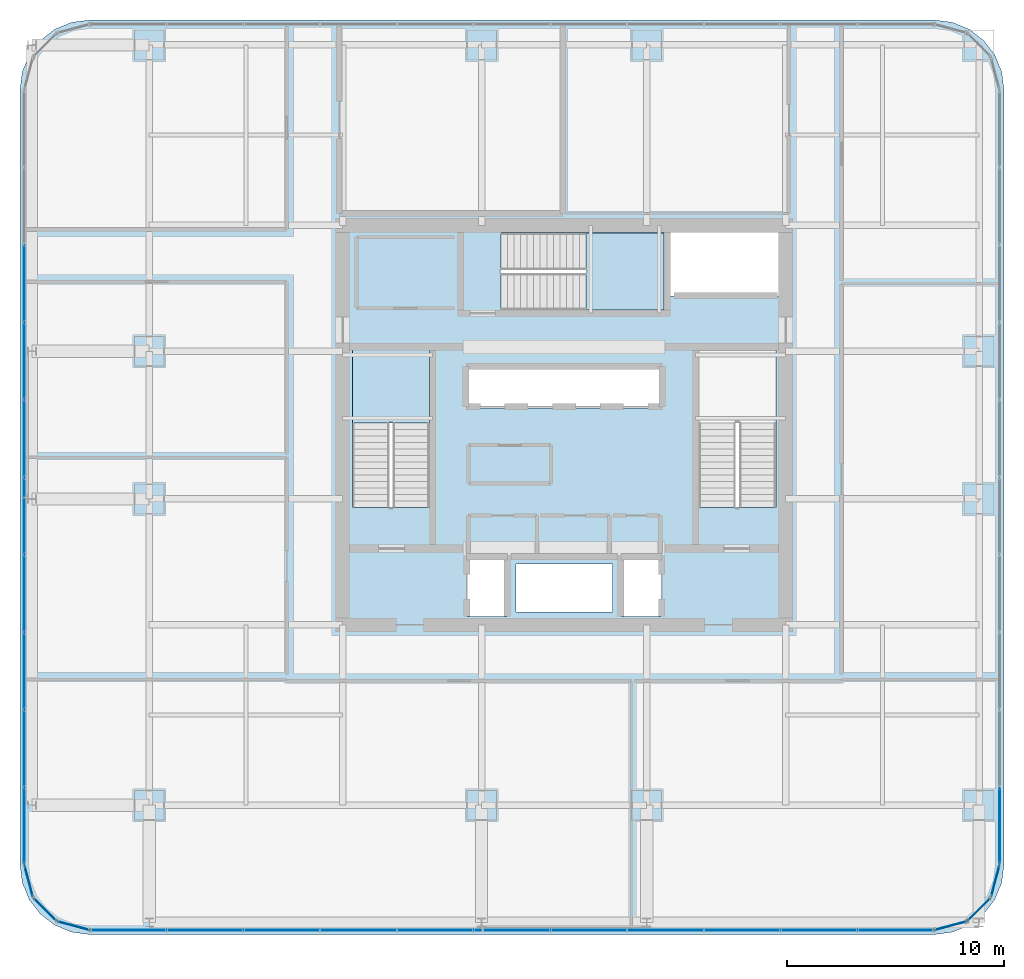
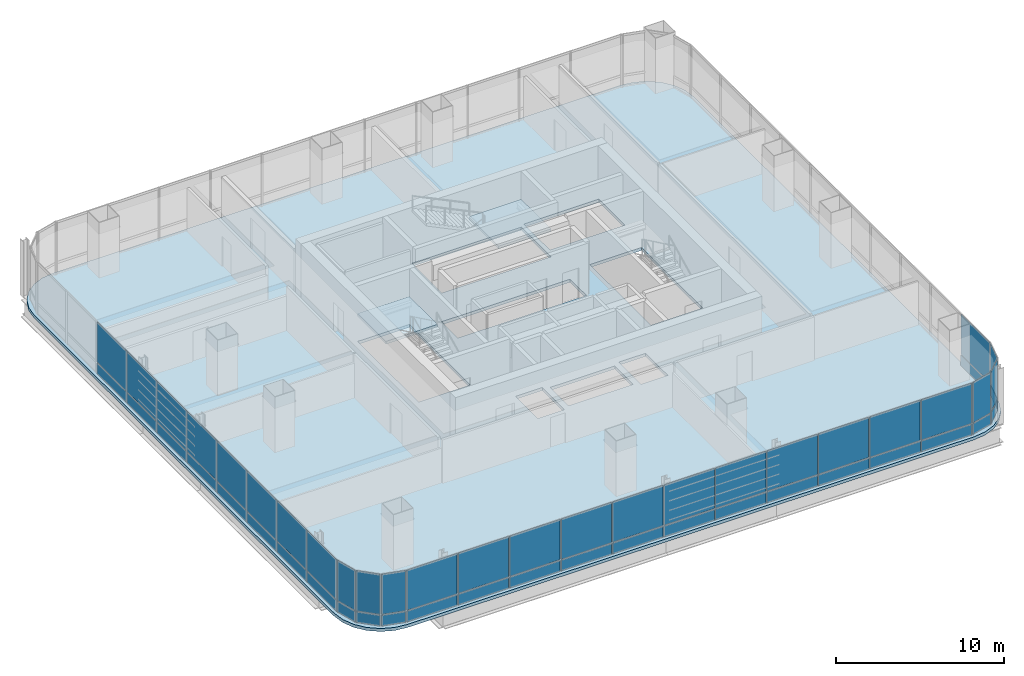
# One storey, part 27 of 36: 52 plates, 3 slabs, 11 elements without a shape of their own.
"""IFC4 building model written with IfcOpenShell, lengths in metres."""

from ifc_helpers import new_model, si_unit, direction, frame, origin, origin_2d, place, context, subcontext, project, spatial, polyline, rectangle, outline, extrude, material, layer, layer_set, type_object, element, aggregate, save


model = new_model("IFC4")

# Units and contexts
model_context = context("Model", 3, precision=1e-05, world=origin(), true_north=direction((0.0, 1.0)))
body_context = subcontext(model_context, "Body", "Model", "MODEL_VIEW")
ifc_project = project(units=[si_unit("LENGTHUNIT", "METRE"), si_unit("AREAUNIT", "SQUARE_METRE"), si_unit("VOLUMEUNIT", "CUBIC_METRE"), si_unit("PLANEANGLEUNIT", "RADIAN"), si_unit("MASSUNIT", "GRAM", prefix="KILO")], contexts=[model_context])

# Site, building, storey
site_placement = place(None, origin())
site = spatial("IfcSite", under=ifc_project, at=site_placement, CompositionType="ELEMENT")
building_placement = place(site_placement, origin())
building = spatial("IfcBuilding", under=site, at=building_placement, Name="Punatoya Terracotta Tower", CompositionType="ELEMENT")
storey_placement = place(building_placement, frame((0.0, 0.0, 176.25)))
storey = spatial("IfcBuildingStorey", under=building, at=storey_placement, Name="L41", CompositionType="ELEMENT", Elevation=176.25)

# Curtain wall, plates
ifc_material_1 = material(Name="Aluminium 6063-T6 + Double Low-E Glass", Category="aluminium")
curtain_wall_type = type_object("IfcCurtainWallType", Name="CW-M2", PredefinedType="NOTDEFINED", material=ifc_material_1)
curtain_wall_1_placement = place(storey_placement, origin())
curtain_wall_1 = element("IfcCurtainWall", 1, at=curtain_wall_1_placement, inside=storey, type_object=curtain_wall_type, Name="L41 Curtain Wall CW-L41-S01-1", PredefinedType="NOTDEFINED")
ifc_material_2 = material(Name="Double Low-E Acoustic Vision Glass", Category="glass")
ifc_layer_1 = layer(ifc_material_2, 0.031982421875)
ifc_layer_set_1 = layer_set([ifc_layer_1], Name="Double Low-E Acoustic Vision Glass")
plate_type_1 = type_object("IfcPlateType", Name="PLT-GLZ-32", PredefinedType="CURTAIN_PANEL", material=ifc_layer_set_1)
plate_1_placement = place(storey_placement, frame((-20.06982421875, -23.25, 0.89013671875), z_axis=(0.0, 0.0, 1.0), x_axis=(1.0, 0.0, 0.0)))
plate_1 = element("IfcPlate", 2, at=plate_1_placement, type_object=plate_type_1, Name="CW-L41-S01-1 Vision Glass Panel 1", PredefinedType="CURTAIN_PANEL", context=body_context, shape_type="SweptSolid", body=[
    extrude(rectangle(XDim=3.448974609375, YDim=0.031982421875, at=origin_2d()), origin(), (0.0, 0.0, 1.0), 2.89990234375),
])
plate_2_placement = place(storey_placement, frame((-16.535888671875, -23.25, 0.89013671875), z_axis=(0.0, 0.0, 1.0), x_axis=(1.0, 0.0, 0.0)))
plate_2 = element("IfcPlate", 3, at=plate_2_placement, type_object=plate_type_1, Name="CW-L41-S01-1 Vision Glass Panel 2", PredefinedType="CURTAIN_PANEL", context=body_context, shape_type="SweptSolid", body=[
    extrude(rectangle(XDim=3.448974609375, YDim=0.031982421875, at=origin_2d()), origin(), (0.0, 0.0, 1.0), 2.89990234375),
])
plate_3_placement = place(storey_placement, frame((-13.001953125, -23.25, 0.89013671875), z_axis=(0.0, 0.0, 1.0), x_axis=(1.0, 0.0, 0.0)))
plate_3 = element("IfcPlate", 4, at=plate_3_placement, type_object=plate_type_1, Name="CW-L41-S01-1 Vision Glass Panel 3", PredefinedType="CURTAIN_PANEL", context=body_context, shape_type="SweptSolid", body=[
    extrude(rectangle(XDim=3.448974609375, YDim=0.031982421875, at=origin_2d()), origin(), (0.0, 0.0, 1.0), 2.89990234375),
])
plate_4_placement = place(storey_placement, frame((-9.468017578125, -23.25, 0.89013671875), z_axis=(0.0, 0.0, 1.0), x_axis=(1.0, 0.0, 0.0)))
plate_4 = element("IfcPlate", 5, at=plate_4_placement, type_object=plate_type_1, Name="CW-L41-S01-1 Vision Glass Panel 4", PredefinedType="CURTAIN_PANEL", context=body_context, shape_type="SweptSolid", body=[
    extrude(rectangle(XDim=3.448974609375, YDim=0.031982421875, at=origin_2d()), origin(), (0.0, 0.0, 1.0), 2.89990234375),
])
plate_5_placement = place(storey_placement, frame((-5.93408203125, -23.25, 0.89013671875), z_axis=(0.0, 0.0, 1.0), x_axis=(1.0, 0.0, 0.0)))
plate_5 = element("IfcPlate", 6, at=plate_5_placement, type_object=plate_type_1, Name="CW-L41-S01-1 Vision Glass Panel 5", PredefinedType="CURTAIN_PANEL", context=body_context, shape_type="SweptSolid", body=[
    extrude(rectangle(XDim=3.448974609375, YDim=0.031982421875, at=origin_2d()), origin(), (0.0, 0.0, 1.0), 2.89990234375),
])
plate_6_placement = place(storey_placement, frame((-2.39990234375, -23.25, 0.89013671875), z_axis=(0.0, 0.0, 1.0), x_axis=(1.0, 0.0, 0.0)))
plate_6 = element("IfcPlate", 7, at=plate_6_placement, type_object=plate_type_1, Name="CW-L41-S01-1 Vision Glass Panel 6", PredefinedType="CURTAIN_PANEL", context=body_context, shape_type="SweptSolid", body=[
    extrude(rectangle(XDim=3.448974609375, YDim=0.031982421875, at=origin_2d()), origin(), (0.0, 0.0, 1.0), 2.89990234375),
])
plate_7_placement = place(storey_placement, frame((1.134033203125, -23.25, 0.89013671875), z_axis=(0.0, 0.0, 1.0), x_axis=(1.0, 0.0, 0.0)))
plate_7 = element("IfcPlate", 8, at=plate_7_placement, type_object=plate_type_1, Name="CW-L41-S01-1 Vision Glass Panel 7", PredefinedType="CURTAIN_PANEL", context=body_context, shape_type="SweptSolid", body=[
    extrude(rectangle(XDim=3.448974609375, YDim=0.031982421875, at=origin_2d()), origin(), (0.0, 0.0, 1.0), 2.89990234375),
])
plate_8_placement = place(storey_placement, frame((4.66796875, -23.25, 0.89013671875), z_axis=(0.0, 0.0, 1.0), x_axis=(1.0, 0.0, 0.0)))
plate_8 = element("IfcPlate", 9, at=plate_8_placement, type_object=plate_type_1, Name="CW-L41-S01-1 Vision Glass Panel 8", PredefinedType="CURTAIN_PANEL", context=body_context, shape_type="SweptSolid", body=[
    extrude(rectangle(XDim=3.448974609375, YDim=0.031982421875, at=origin_2d()), origin(), (0.0, 0.0, 1.0), 2.89990234375),
])
plate_9_placement = place(storey_placement, frame((8.201904296875, -23.25, 0.89013671875), z_axis=(0.0, 0.0, 1.0), x_axis=(1.0, 0.0, 0.0)))
plate_9 = element("IfcPlate", 10, at=plate_9_placement, type_object=plate_type_1, Name="CW-L41-S01-1 Vision Glass Panel 9", PredefinedType="CURTAIN_PANEL", context=body_context, shape_type="SweptSolid", body=[
    extrude(rectangle(XDim=3.448974609375, YDim=0.031982421875, at=origin_2d()), origin(), (0.0, 0.0, 1.0), 2.89990234375),
])
plate_10_placement = place(storey_placement, frame((11.73583984375, -23.25, 0.89013671875), z_axis=(0.0, 0.0, 1.0), x_axis=(1.0, 0.0, 0.0)))
plate_10 = element("IfcPlate", 11, at=plate_10_placement, type_object=plate_type_1, Name="CW-L41-S01-1 Vision Glass Panel 10", PredefinedType="CURTAIN_PANEL", context=body_context, shape_type="SweptSolid", body=[
    extrude(rectangle(XDim=3.448974609375, YDim=0.031982421875, at=origin_2d()), origin(), (0.0, 0.0, 1.0), 2.89990234375),
])
plate_11_placement = place(storey_placement, frame((15.27001953125, -23.25, 0.89013671875), z_axis=(0.0, 0.0, 1.0), x_axis=(1.0, 0.0, 0.0)))
plate_11 = element("IfcPlate", 12, at=plate_11_placement, type_object=plate_type_1, Name="CW-L41-S01-1 Vision Glass Panel 11", PredefinedType="CURTAIN_PANEL", context=body_context, shape_type="SweptSolid", body=[
    extrude(rectangle(XDim=3.448974609375, YDim=0.031982421875, at=origin_2d()), origin(), (0.0, 0.0, 1.0), 2.89990234375),
])

# Curtain wall, plate
curtain_wall_2_placement = place(storey_placement, origin())
curtain_wall_2 = element("IfcCurtainWall", 13, at=curtain_wall_2_placement, inside=storey, type_object=curtain_wall_type, Name="L41 Curtain Wall CW-L41-CRN02", PredefinedType="NOTDEFINED")
plate_12_placement = place(storey_placement, frame((17.79296875, -23.04833984375, 0.89013671875), z_axis=(0.0, 0.0, 1.0), x_axis=(0.966213877436, 0.257741620719, 0.0)))
plate_12 = element("IfcPlate", 14, at=plate_12_placement, type_object=plate_type_1, Name="CW-L41-CRN02 Vision Glass Panel 1", PredefinedType="CURTAIN_PANEL", context=body_context, shape_type="SweptSolid", body=[
    extrude(rectangle(XDim=1.47998046875, YDim=0.031982421875, at=origin_2d()), origin(), (0.0, 0.0, 1.0), 2.89990234375),
])

curtain_wall_3_placement = place(storey_placement, origin())
curtain_wall_3 = element("IfcCurtainWall", 15, at=curtain_wall_3_placement, inside=storey, type_object=curtain_wall_type, Name="L41 Curtain Wall CW-L41-CRN03", PredefinedType="NOTDEFINED")
plate_13_placement = place(storey_placement, frame((19.097900390625, -22.2978515625, 0.89013671875), z_axis=(0.0, 0.0, 1.0), x_axis=(0.707106781187, 0.707106781187, 0.0)))
plate_13 = element("IfcPlate", 16, at=plate_13_placement, type_object=plate_type_1, Name="CW-L41-CRN03 Vision Glass Panel 1", PredefinedType="CURTAIN_PANEL", context=body_context, shape_type="SweptSolid", body=[
    extrude(rectangle(XDim=1.467041015625, YDim=0.031982421875, at=origin_2d()), origin(), (0.0, 0.0, 1.0), 2.89990234375),
])

curtain_wall_4_placement = place(storey_placement, origin())
curtain_wall_4 = element("IfcCurtainWall", 17, at=curtain_wall_4_placement, inside=storey, type_object=curtain_wall_type, Name="L41 Curtain Wall CW-L41-CRN04", PredefinedType="NOTDEFINED")
plate_14_placement = place(storey_placement, frame((19.848388671875, -20.992919921875, 0.89013671875), z_axis=(0.0, 0.0, 1.0), x_axis=(0.257741620719, 0.966213877436, 0.0)))
plate_14 = element("IfcPlate", 18, at=plate_14_placement, type_object=plate_type_1, Name="CW-L41-CRN04 Vision Glass Panel 1", PredefinedType="CURTAIN_PANEL", context=body_context, shape_type="SweptSolid", body=[
    extrude(rectangle(XDim=1.47998046875, YDim=0.031982421875, at=origin_2d()), origin(), (0.0, 0.0, 1.0), 2.89990234375),
])

curtain_wall_5_placement = place(storey_placement, origin())
curtain_wall_5 = element("IfcCurtainWall", 19, at=curtain_wall_5_placement, inside=storey, type_object=curtain_wall_type, Name="L41 Curtain Wall CW-L41-E05-1", PredefinedType="NOTDEFINED")
plate_15_placement = place(storey_placement, frame((20.050048828125, -18.453125, 0.89013671875), z_axis=(0.0, 0.0, 1.0), x_axis=(0.0, 1.0, 0.0)))
plate_15 = element("IfcPlate", 20, at=plate_15_placement, type_object=plate_type_1, Name="CW-L41-E05-1 Vision Glass Panel 1", PredefinedType="CURTAIN_PANEL", context=body_context, shape_type="SweptSolid", body=[
    extrude(rectangle(XDim=3.482421875, YDim=0.031982421875, at=origin_2d()), origin(), (0.0, 0.0, 1.0), 2.89990234375),
])

# Curtain wall, plates
curtain_wall_6_placement = place(storey_placement, origin())
curtain_wall_6 = element("IfcCurtainWall", 21, at=curtain_wall_6_placement, inside=storey, type_object=curtain_wall_type, Name="L41 Curtain Wall CW-L41-W13-1", PredefinedType="NOTDEFINED")
plate_16_placement = place(storey_placement, frame((-24.85009765625, 6.518310546875, 0.89013671875), z_axis=(0.0, 0.0, 1.0), x_axis=(0.0, -1.0, 0.0)))
plate_16 = element("IfcPlate", 22, at=plate_16_placement, type_object=plate_type_1, Name="CW-L41-W13-1 Vision Glass Panel 3", PredefinedType="CURTAIN_PANEL", context=body_context, shape_type="SweptSolid", body=[
    extrude(rectangle(XDim=3.482421875, YDim=0.031982421875, at=origin_2d()), origin(), (0.0, 0.0, 1.0), 2.89990234375),
])
plate_17_placement = place(storey_placement, frame((-24.85009765625, 2.951171875, 0.89013671875), z_axis=(0.0, 0.0, 1.0), x_axis=(0.0, -1.0, 0.0)))
plate_17 = element("IfcPlate", 23, at=plate_17_placement, type_object=plate_type_1, Name="CW-L41-W13-1 Vision Glass Panel 4", PredefinedType="CURTAIN_PANEL", context=body_context, shape_type="SweptSolid", body=[
    extrude(rectangle(XDim=3.482421875, YDim=0.031982421875, at=origin_2d()), origin(), (0.0, 0.0, 1.0), 2.89990234375),
])
plate_18_placement = place(storey_placement, frame((-24.85009765625, -0.6162109375, 0.89013671875), z_axis=(0.0, 0.0, 1.0), x_axis=(0.0, -1.0, 0.0)))
plate_18 = element("IfcPlate", 24, at=plate_18_placement, type_object=plate_type_1, Name="CW-L41-W13-1 Vision Glass Panel 5", PredefinedType="CURTAIN_PANEL", context=body_context, shape_type="SweptSolid", body=[
    extrude(rectangle(XDim=3.482421875, YDim=0.031982421875, at=origin_2d()), origin(), (0.0, 0.0, 1.0), 2.89990234375),
])
plate_19_placement = place(storey_placement, frame((-24.85009765625, -4.18359375, 0.89013671875), z_axis=(0.0, 0.0, 1.0), x_axis=(0.0, -1.0, 0.0)))
plate_19 = element("IfcPlate", 25, at=plate_19_placement, type_object=plate_type_1, Name="CW-L41-W13-1 Vision Glass Panel 6", PredefinedType="CURTAIN_PANEL", context=body_context, shape_type="SweptSolid", body=[
    extrude(rectangle(XDim=3.482421875, YDim=0.031982421875, at=origin_2d()), origin(), (0.0, 0.0, 1.0), 2.89990234375),
])
plate_20_placement = place(storey_placement, frame((-24.85009765625, -7.751220703125, 0.89013671875), z_axis=(0.0, 0.0, 1.0), x_axis=(0.0, -1.0, 0.0)))
plate_20 = element("IfcPlate", 26, at=plate_20_placement, type_object=plate_type_1, Name="CW-L41-W13-1 Vision Glass Panel 7", PredefinedType="CURTAIN_PANEL", context=body_context, shape_type="SweptSolid", body=[
    extrude(rectangle(XDim=3.482421875, YDim=0.031982421875, at=origin_2d()), origin(), (0.0, 0.0, 1.0), 2.89990234375),
])
plate_21_placement = place(storey_placement, frame((-24.85009765625, -11.318359375, 0.89013671875), z_axis=(0.0, 0.0, 1.0), x_axis=(0.0, -1.0, 0.0)))
plate_21 = element("IfcPlate", 27, at=plate_21_placement, type_object=plate_type_1, Name="CW-L41-W13-1 Vision Glass Panel 8", PredefinedType="CURTAIN_PANEL", context=body_context, shape_type="SweptSolid", body=[
    extrude(rectangle(XDim=3.482421875, YDim=0.031982421875, at=origin_2d()), origin(), (0.0, 0.0, 1.0), 2.89990234375),
])
plate_22_placement = place(storey_placement, frame((-24.85009765625, -14.8857421875, 0.89013671875), z_axis=(0.0, 0.0, 1.0), x_axis=(0.0, -1.0, 0.0)))
plate_22 = element("IfcPlate", 28, at=plate_22_placement, type_object=plate_type_1, Name="CW-L41-W13-1 Vision Glass Panel 9", PredefinedType="CURTAIN_PANEL", context=body_context, shape_type="SweptSolid", body=[
    extrude(rectangle(XDim=3.482421875, YDim=0.031982421875, at=origin_2d()), origin(), (0.0, 0.0, 1.0), 2.89990234375),
])
plate_23_placement = place(storey_placement, frame((-24.85009765625, -18.453125, 0.89013671875), z_axis=(0.0, 0.0, 1.0), x_axis=(0.0, -1.0, 0.0)))
plate_23 = element("IfcPlate", 29, at=plate_23_placement, type_object=plate_type_1, Name="CW-L41-W13-1 Vision Glass Panel 10", PredefinedType="CURTAIN_PANEL", context=body_context, shape_type="SweptSolid", body=[
    extrude(rectangle(XDim=3.482421875, YDim=0.031982421875, at=origin_2d()), origin(), (0.0, 0.0, 1.0), 2.89990234375),
])

# Curtain wall, plate
curtain_wall_7_placement = place(storey_placement, origin())
curtain_wall_7 = element("IfcCurtainWall", 30, at=curtain_wall_7_placement, inside=storey, type_object=curtain_wall_type, Name="L41 Curtain Wall CW-L41-CRN14", PredefinedType="NOTDEFINED")
plate_24_placement = place(storey_placement, frame((-24.648193359375, -20.992919921875, 0.89013671875), z_axis=(0.0, 0.0, 1.0), x_axis=(0.257741620719, -0.966213877436, 0.0)))
plate_24 = element("IfcPlate", 31, at=plate_24_placement, type_object=plate_type_1, Name="CW-L41-CRN14 Vision Glass Panel 1", PredefinedType="CURTAIN_PANEL", context=body_context, shape_type="SweptSolid", body=[
    extrude(rectangle(XDim=1.47998046875, YDim=0.031982421875, at=origin_2d()), origin(), (0.0, 0.0, 1.0), 2.89990234375),
])

curtain_wall_8_placement = place(storey_placement, origin())
curtain_wall_8 = element("IfcCurtainWall", 32, at=curtain_wall_8_placement, inside=storey, type_object=curtain_wall_type, Name="L41 Curtain Wall CW-L41-CRN15", PredefinedType="NOTDEFINED")
plate_25_placement = place(storey_placement, frame((-23.89794921875, -22.2978515625, 0.89013671875), z_axis=(0.0, 0.0, 1.0), x_axis=(0.707106781187, -0.707106781187, 0.0)))
plate_25 = element("IfcPlate", 33, at=plate_25_placement, type_object=plate_type_1, Name="CW-L41-CRN15 Vision Glass Panel 1", PredefinedType="CURTAIN_PANEL", context=body_context, shape_type="SweptSolid", body=[
    extrude(rectangle(XDim=1.467041015625, YDim=0.031982421875, at=origin_2d()), origin(), (0.0, 0.0, 1.0), 2.89990234375),
])

curtain_wall_9_placement = place(storey_placement, origin())
curtain_wall_9 = element("IfcCurtainWall", 34, at=curtain_wall_9_placement, inside=storey, type_object=curtain_wall_type, Name="L41 Curtain Wall CW-L41-CRN16", PredefinedType="NOTDEFINED")
plate_26_placement = place(storey_placement, frame((-22.593017578125, -23.04833984375, 0.89013671875), z_axis=(0.0, 0.0, 1.0), x_axis=(0.966213877436, -0.257741620719, 0.0)))
plate_26 = element("IfcPlate", 35, at=plate_26_placement, type_object=plate_type_1, Name="CW-L41-CRN16 Vision Glass Panel 1", PredefinedType="CURTAIN_PANEL", context=body_context, shape_type="SweptSolid", body=[
    extrude(rectangle(XDim=1.47998046875, YDim=0.031982421875, at=origin_2d()), origin(), (0.0, 0.0, 1.0), 2.89990234375),
])

# Plate
ifc_material_3 = material(Name="Insulated Terracotta-Backed Spandrel Panel", Category="masonry")
ifc_layer_2 = layer(ifc_material_3, 0.044921875)
ifc_layer_set_2 = layer_set([ifc_layer_2], Name="Insulated Terracotta-Backed Spandrel Panel")
plate_type_2 = type_object("IfcPlateType", Name="PLT-SPN-45", PredefinedType="CURTAIN_PANEL", material=ifc_layer_set_2)
plate_27_placement = place(storey_placement, frame((-20.06982421875, -23.25, 0.0400390625), z_axis=(0.0, 0.0, 1.0), x_axis=(1.0, 0.0, 0.0)))
plate_27 = element("IfcPlate", 36, at=plate_27_placement, type_object=plate_type_2, Name="CW-L41-S01-1 Terracotta Spandrel Panel 1", PredefinedType="CURTAIN_PANEL", context=body_context, shape_type="SweptSolid", body=[
    extrude(rectangle(XDim=3.448974609375, YDim=0.044921875, at=origin_2d()), origin(), (0.0, 0.0, 1.0), 0.77490234375),
])

plate_28_placement = place(storey_placement, frame((-16.535888671875, -23.25, 0.0400390625), z_axis=(0.0, 0.0, 1.0), x_axis=(1.0, 0.0, 0.0)))
plate_28 = element("IfcPlate", 37, at=plate_28_placement, type_object=plate_type_2, Name="CW-L41-S01-1 Terracotta Spandrel Panel 2", PredefinedType="CURTAIN_PANEL", context=body_context, shape_type="SweptSolid", body=[
    extrude(rectangle(XDim=3.448974609375, YDim=0.044921875, at=origin_2d()), origin(), (0.0, 0.0, 1.0), 0.77490234375),
])

plate_29_placement = place(storey_placement, frame((-13.001953125, -23.25, 0.0400390625), z_axis=(0.0, 0.0, 1.0), x_axis=(1.0, 0.0, 0.0)))
plate_29 = element("IfcPlate", 38, at=plate_29_placement, type_object=plate_type_2, Name="CW-L41-S01-1 Terracotta Spandrel Panel 3", PredefinedType="CURTAIN_PANEL", context=body_context, shape_type="SweptSolid", body=[
    extrude(rectangle(XDim=3.448974609375, YDim=0.044921875, at=origin_2d()), origin(), (0.0, 0.0, 1.0), 0.77490234375),
])

plate_30_placement = place(storey_placement, frame((-9.468017578125, -23.25, 0.0400390625), z_axis=(0.0, 0.0, 1.0), x_axis=(1.0, 0.0, 0.0)))
plate_30 = element("IfcPlate", 39, at=plate_30_placement, type_object=plate_type_2, Name="CW-L41-S01-1 Terracotta Spandrel Panel 4", PredefinedType="CURTAIN_PANEL", context=body_context, shape_type="SweptSolid", body=[
    extrude(rectangle(XDim=3.448974609375, YDim=0.044921875, at=origin_2d()), origin(), (0.0, 0.0, 1.0), 0.77490234375),
])

plate_31_placement = place(storey_placement, frame((-5.93408203125, -23.25, 0.0400390625), z_axis=(0.0, 0.0, 1.0), x_axis=(1.0, 0.0, 0.0)))
plate_31 = element("IfcPlate", 40, at=plate_31_placement, type_object=plate_type_2, Name="CW-L41-S01-1 Terracotta Spandrel Panel 5", PredefinedType="CURTAIN_PANEL", context=body_context, shape_type="SweptSolid", body=[
    extrude(rectangle(XDim=3.448974609375, YDim=0.044921875, at=origin_2d()), origin(), (0.0, 0.0, 1.0), 0.77490234375),
])

plate_32_placement = place(storey_placement, frame((-2.39990234375, -23.25, 0.0400390625), z_axis=(0.0, 0.0, 1.0), x_axis=(1.0, 0.0, 0.0)))
plate_32 = element("IfcPlate", 41, at=plate_32_placement, type_object=plate_type_2, Name="CW-L41-S01-1 Terracotta Spandrel Panel 6", PredefinedType="CURTAIN_PANEL", context=body_context, shape_type="SweptSolid", body=[
    extrude(rectangle(XDim=3.448974609375, YDim=0.044921875, at=origin_2d()), origin(), (0.0, 0.0, 1.0), 0.77490234375),
])

plate_33_placement = place(storey_placement, frame((1.134033203125, -23.25, 0.0400390625), z_axis=(0.0, 0.0, 1.0), x_axis=(1.0, 0.0, 0.0)))
plate_33 = element("IfcPlate", 42, at=plate_33_placement, type_object=plate_type_2, Name="CW-L41-S01-1 Terracotta Spandrel Panel 7", PredefinedType="CURTAIN_PANEL", context=body_context, shape_type="SweptSolid", body=[
    extrude(rectangle(XDim=3.448974609375, YDim=0.044921875, at=origin_2d()), origin(), (0.0, 0.0, 1.0), 0.77490234375),
])

plate_34_placement = place(storey_placement, frame((4.66796875, -23.25, 0.0400390625), z_axis=(0.0, 0.0, 1.0), x_axis=(1.0, 0.0, 0.0)))
plate_34 = element("IfcPlate", 43, at=plate_34_placement, type_object=plate_type_2, Name="CW-L41-S01-1 Terracotta Spandrel Panel 8", PredefinedType="CURTAIN_PANEL", context=body_context, shape_type="SweptSolid", body=[
    extrude(rectangle(XDim=3.448974609375, YDim=0.044921875, at=origin_2d()), origin(), (0.0, 0.0, 1.0), 0.77490234375),
])

plate_35_placement = place(storey_placement, frame((8.201904296875, -23.25, 0.0400390625), z_axis=(0.0, 0.0, 1.0), x_axis=(1.0, 0.0, 0.0)))
plate_35 = element("IfcPlate", 44, at=plate_35_placement, type_object=plate_type_2, Name="CW-L41-S01-1 Terracotta Spandrel Panel 9", PredefinedType="CURTAIN_PANEL", context=body_context, shape_type="SweptSolid", body=[
    extrude(rectangle(XDim=3.448974609375, YDim=0.044921875, at=origin_2d()), origin(), (0.0, 0.0, 1.0), 0.77490234375),
])

plate_36_placement = place(storey_placement, frame((11.73583984375, -23.25, 0.0400390625), z_axis=(0.0, 0.0, 1.0), x_axis=(1.0, 0.0, 0.0)))
plate_36 = element("IfcPlate", 45, at=plate_36_placement, type_object=plate_type_2, Name="CW-L41-S01-1 Terracotta Spandrel Panel 10", PredefinedType="CURTAIN_PANEL", context=body_context, shape_type="SweptSolid", body=[
    extrude(rectangle(XDim=3.448974609375, YDim=0.044921875, at=origin_2d()), origin(), (0.0, 0.0, 1.0), 0.77490234375),
])

plate_37_placement = place(storey_placement, frame((15.27001953125, -23.25, 0.0400390625), z_axis=(0.0, 0.0, 1.0), x_axis=(1.0, 0.0, 0.0)))
plate_37 = element("IfcPlate", 46, at=plate_37_placement, type_object=plate_type_2, Name="CW-L41-S01-1 Terracotta Spandrel Panel 11", PredefinedType="CURTAIN_PANEL", context=body_context, shape_type="SweptSolid", body=[
    extrude(rectangle(XDim=3.448974609375, YDim=0.044921875, at=origin_2d()), origin(), (0.0, 0.0, 1.0), 0.77490234375),
])

aggregate(curtain_wall_1, [plate_27, plate_1, plate_28, plate_2, plate_29, plate_3, plate_30, plate_4, plate_31, plate_5, plate_32, plate_6, plate_33, plate_7, plate_34, plate_8, plate_35, plate_9, plate_36, plate_10, plate_37, plate_11])

plate_38_placement = place(storey_placement, frame((17.79296875, -23.04833984375, 0.0400390625), z_axis=(0.0, 0.0, 1.0), x_axis=(0.966213877436, 0.257741620719, 0.0)))
plate_38 = element("IfcPlate", 47, at=plate_38_placement, type_object=plate_type_2, Name="CW-L41-CRN02 Terracotta Spandrel Panel 1", PredefinedType="CURTAIN_PANEL", context=body_context, shape_type="SweptSolid", body=[
    extrude(rectangle(XDim=1.47998046875, YDim=0.044921875, at=origin_2d()), origin(), (0.0, 0.0, 1.0), 0.77490234375),
])

aggregate(curtain_wall_2, [plate_38, plate_12])

plate_39_placement = place(storey_placement, frame((19.097900390625, -22.2978515625, 0.0400390625), z_axis=(0.0, 0.0, 1.0), x_axis=(0.707106781187, 0.707106781187, 0.0)))
plate_39 = element("IfcPlate", 48, at=plate_39_placement, type_object=plate_type_2, Name="CW-L41-CRN03 Terracotta Spandrel Panel 1", PredefinedType="CURTAIN_PANEL", context=body_context, shape_type="SweptSolid", body=[
    extrude(rectangle(XDim=1.467041015625, YDim=0.044921875, at=origin_2d()), origin(), (0.0, 0.0, 1.0), 0.77490234375),
])

aggregate(curtain_wall_3, [plate_39, plate_13])

plate_40_placement = place(storey_placement, frame((19.848388671875, -20.992919921875, 0.0400390625), z_axis=(0.0, 0.0, 1.0), x_axis=(0.257741620719, 0.966213877436, 0.0)))
plate_40 = element("IfcPlate", 49, at=plate_40_placement, type_object=plate_type_2, Name="CW-L41-CRN04 Terracotta Spandrel Panel 1", PredefinedType="CURTAIN_PANEL", context=body_context, shape_type="SweptSolid", body=[
    extrude(rectangle(XDim=1.47998046875, YDim=0.044921875, at=origin_2d()), origin(), (0.0, 0.0, 1.0), 0.77490234375),
])

aggregate(curtain_wall_4, [plate_40, plate_14])

plate_41_placement = place(storey_placement, frame((20.050048828125, -18.453125, 0.0400390625), z_axis=(0.0, 0.0, 1.0), x_axis=(0.0, 1.0, 0.0)))
plate_41 = element("IfcPlate", 50, at=plate_41_placement, type_object=plate_type_2, Name="CW-L41-E05-1 Terracotta Spandrel Panel 1", PredefinedType="CURTAIN_PANEL", context=body_context, shape_type="SweptSolid", body=[
    extrude(rectangle(XDim=3.482421875, YDim=0.044921875, at=origin_2d()), origin(), (0.0, 0.0, 1.0), 0.77490234375),
])

aggregate(curtain_wall_5, [plate_41, plate_15])

plate_42_placement = place(storey_placement, frame((-24.85009765625, 6.518310546875, 0.0400390625), z_axis=(0.0, 0.0, 1.0), x_axis=(0.0, -1.0, 0.0)))
plate_42 = element("IfcPlate", 51, at=plate_42_placement, type_object=plate_type_2, Name="CW-L41-W13-1 Terracotta Spandrel Panel 3", PredefinedType="CURTAIN_PANEL", context=body_context, shape_type="SweptSolid", body=[
    extrude(rectangle(XDim=3.482421875, YDim=0.044921875, at=origin_2d()), origin(), (0.0, 0.0, 1.0), 0.77490234375),
])

plate_43_placement = place(storey_placement, frame((-24.85009765625, 2.951171875, 0.0400390625), z_axis=(0.0, 0.0, 1.0), x_axis=(0.0, -1.0, 0.0)))
plate_43 = element("IfcPlate", 52, at=plate_43_placement, type_object=plate_type_2, Name="CW-L41-W13-1 Terracotta Spandrel Panel 4", PredefinedType="CURTAIN_PANEL", context=body_context, shape_type="SweptSolid", body=[
    extrude(rectangle(XDim=3.482421875, YDim=0.044921875, at=origin_2d()), origin(), (0.0, 0.0, 1.0), 0.77490234375),
])

plate_44_placement = place(storey_placement, frame((-24.85009765625, -0.6162109375, 0.0400390625), z_axis=(0.0, 0.0, 1.0), x_axis=(0.0, -1.0, 0.0)))
plate_44 = element("IfcPlate", 53, at=plate_44_placement, type_object=plate_type_2, Name="CW-L41-W13-1 Terracotta Spandrel Panel 5", PredefinedType="CURTAIN_PANEL", context=body_context, shape_type="SweptSolid", body=[
    extrude(rectangle(XDim=3.482421875, YDim=0.044921875, at=origin_2d()), origin(), (0.0, 0.0, 1.0), 0.77490234375),
])

plate_45_placement = place(storey_placement, frame((-24.85009765625, -4.18359375, 0.0400390625), z_axis=(0.0, 0.0, 1.0), x_axis=(0.0, -1.0, 0.0)))
plate_45 = element("IfcPlate", 54, at=plate_45_placement, type_object=plate_type_2, Name="CW-L41-W13-1 Terracotta Spandrel Panel 6", PredefinedType="CURTAIN_PANEL", context=body_context, shape_type="SweptSolid", body=[
    extrude(rectangle(XDim=3.482421875, YDim=0.044921875, at=origin_2d()), origin(), (0.0, 0.0, 1.0), 0.77490234375),
])

plate_46_placement = place(storey_placement, frame((-24.85009765625, -7.751220703125, 0.0400390625), z_axis=(0.0, 0.0, 1.0), x_axis=(0.0, -1.0, 0.0)))
plate_46 = element("IfcPlate", 55, at=plate_46_placement, type_object=plate_type_2, Name="CW-L41-W13-1 Terracotta Spandrel Panel 7", PredefinedType="CURTAIN_PANEL", context=body_context, shape_type="SweptSolid", body=[
    extrude(rectangle(XDim=3.482421875, YDim=0.044921875, at=origin_2d()), origin(), (0.0, 0.0, 1.0), 0.77490234375),
])

plate_47_placement = place(storey_placement, frame((-24.85009765625, -11.318359375, 0.0400390625), z_axis=(0.0, 0.0, 1.0), x_axis=(0.0, -1.0, 0.0)))
plate_47 = element("IfcPlate", 56, at=plate_47_placement, type_object=plate_type_2, Name="CW-L41-W13-1 Terracotta Spandrel Panel 8", PredefinedType="CURTAIN_PANEL", context=body_context, shape_type="SweptSolid", body=[
    extrude(rectangle(XDim=3.482421875, YDim=0.044921875, at=origin_2d()), origin(), (0.0, 0.0, 1.0), 0.77490234375),
])

plate_48_placement = place(storey_placement, frame((-24.85009765625, -14.8857421875, 0.0400390625), z_axis=(0.0, 0.0, 1.0), x_axis=(0.0, -1.0, 0.0)))
plate_48 = element("IfcPlate", 57, at=plate_48_placement, type_object=plate_type_2, Name="CW-L41-W13-1 Terracotta Spandrel Panel 9", PredefinedType="CURTAIN_PANEL", context=body_context, shape_type="SweptSolid", body=[
    extrude(rectangle(XDim=3.482421875, YDim=0.044921875, at=origin_2d()), origin(), (0.0, 0.0, 1.0), 0.77490234375),
])

plate_49_placement = place(storey_placement, frame((-24.85009765625, -18.453125, 0.0400390625), z_axis=(0.0, 0.0, 1.0), x_axis=(0.0, -1.0, 0.0)))
plate_49 = element("IfcPlate", 58, at=plate_49_placement, type_object=plate_type_2, Name="CW-L41-W13-1 Terracotta Spandrel Panel 10", PredefinedType="CURTAIN_PANEL", context=body_context, shape_type="SweptSolid", body=[
    extrude(rectangle(XDim=3.482421875, YDim=0.044921875, at=origin_2d()), origin(), (0.0, 0.0, 1.0), 0.77490234375),
])

aggregate(curtain_wall_6, [plate_42, plate_16, plate_43, plate_17, plate_44, plate_18, plate_45, plate_19, plate_46, plate_20, plate_47, plate_21, plate_48, plate_22, plate_49, plate_23])

plate_50_placement = place(storey_placement, frame((-24.648193359375, -20.992919921875, 0.0400390625), z_axis=(0.0, 0.0, 1.0), x_axis=(0.257741620719, -0.966213877436, 0.0)))
plate_50 = element("IfcPlate", 59, at=plate_50_placement, type_object=plate_type_2, Name="CW-L41-CRN14 Terracotta Spandrel Panel 1", PredefinedType="CURTAIN_PANEL", context=body_context, shape_type="SweptSolid", body=[
    extrude(rectangle(XDim=1.47998046875, YDim=0.044921875, at=origin_2d()), origin(), (0.0, 0.0, 1.0), 0.77490234375),
])

aggregate(curtain_wall_7, [plate_50, plate_24])

plate_51_placement = place(storey_placement, frame((-23.89794921875, -22.2978515625, 0.0400390625), z_axis=(0.0, 0.0, 1.0), x_axis=(0.707106781187, -0.707106781187, 0.0)))
plate_51 = element("IfcPlate", 60, at=plate_51_placement, type_object=plate_type_2, Name="CW-L41-CRN15 Terracotta Spandrel Panel 1", PredefinedType="CURTAIN_PANEL", context=body_context, shape_type="SweptSolid", body=[
    extrude(rectangle(XDim=1.467041015625, YDim=0.044921875, at=origin_2d()), origin(), (0.0, 0.0, 1.0), 0.77490234375),
])

aggregate(curtain_wall_8, [plate_51, plate_25])

plate_52_placement = place(storey_placement, frame((-22.593017578125, -23.04833984375, 0.0400390625), z_axis=(0.0, 0.0, 1.0), x_axis=(0.966213877436, -0.257741620719, 0.0)))
plate_52 = element("IfcPlate", 61, at=plate_52_placement, type_object=plate_type_2, Name="CW-L41-CRN16 Terracotta Spandrel Panel 1", PredefinedType="CURTAIN_PANEL", context=body_context, shape_type="SweptSolid", body=[
    extrude(rectangle(XDim=1.47998046875, YDim=0.044921875, at=origin_2d()), origin(), (0.0, 0.0, 1.0), 0.77490234375),
])

aggregate(curtain_wall_9, [plate_52, plate_26])

# Stair, slab
ifc_material_4 = material(Name="Concrete C40/50", Category="concrete")
stair_type_1 = type_object("IfcStairType", Name="STR-TER-1450", PredefinedType="HALF_TURN_STAIR", material=ifc_material_4)
stair_1_placement = place(storey_placement, origin())
stair_1 = element("IfcStair", 62, at=stair_1_placement, inside=storey, type_object=stair_type_1, Name="L41 Protected Core Exit Stair ST-3", PredefinedType="HALF_TURN_STAIR")
ifc_layer_3 = layer(ifc_material_4, 0.1650390625)
ifc_layer_set_3 = layer_set([ifc_layer_3], Name="Concrete C40/50")
slab_type_1 = type_object("IfcSlabType", Name="SLB-LND-165", PredefinedType="LANDING", material=ifc_layer_set_3)
slab_1_placement = place(storey_placement, frame((0.0, 0.0, 1.824951171875)))
slab_1 = element("IfcSlab", 63, at=slab_1_placement, type_object=slab_type_1, Name="ST-3 landing 1", PredefinedType="LANDING", context=body_context, shape_type="SweptSolid", body=[
    extrude(outline(polyline([(1.0, 5.300048828125), (4.60009765625, 5.300048828125), (4.60009765625, 8.85009765625), (1.0, 8.85009765625), (1.0, 5.300048828125)])), origin(), (0.0, 0.0, 1.0), 0.199951171875),
])
aggregate(stair_1, [slab_1])

stair_type_2 = type_object("IfcStairType", Name="STR-CORE-1550", PredefinedType="HALF_TURN_STAIR", material=ifc_material_4)
stair_2_placement = place(storey_placement, origin())
stair_2 = element("IfcStair", 64, at=stair_2_placement, inside=storey, type_object=stair_type_2, Name="L41 Protected Core Exit Stair ST-1", PredefinedType="HALF_TURN_STAIR")
ifc_layer_4 = layer(ifc_material_4, 0.179931640625)
ifc_layer_set_4 = layer_set([ifc_layer_4], Name="Concrete C40/50")
slab_type_2 = type_object("IfcSlabType", Name="SLB-LND-180", PredefinedType="LANDING", material=ifc_layer_set_4)
slab_2_placement = place(storey_placement, frame((0.0, 0.0, 1.824951171875)))
slab_2 = element("IfcSlab", 65, at=slab_2_placement, type_object=slab_type_2, Name="ST-1 landing 1", PredefinedType="LANDING", context=body_context, shape_type="SweptSolid", body=[
    extrude(outline(polyline([(-6.199951171875, 0.10009765625), (-6.199951171875, 3.449951171875), (-9.75, 3.449951171875), (-9.75, 0.10009765625), (-6.199951171875, 0.10009765625)])), origin(), (0.0, 0.0, 1.0), 0.199951171875),
])
aggregate(stair_2, [slab_2])

# Slab
ifc_layer_5 = layer(ifc_material_4, 0.219970703125)
ifc_layer_set_5 = layer_set([ifc_layer_5], Name="Concrete C40/50")
slab_type_3 = type_object("IfcSlabType", Name="SLB-OFF-220", PredefinedType="FLOOR", material=ifc_layer_set_5)
slab_3_placement = place(storey_placement, frame((0.0, 0.0, -0.219970703125)))
element("IfcSlab", 66, at=slab_3_placement, inside=storey, type_object=slab_type_3, Name="L41 Structural Floor Slab", PredefinedType="FLOOR", context=body_context, shape_type="SweptSolid", body=[
    extrude(outline(polyline([(-21.85009765625, -23.449951171875), (-22.67822265625, -23.341064453125), (-23.449951171875, -23.021240234375), (-24.11279296875, -22.5126953125), (-24.621337890625, -21.85009765625), (-24.94091796875, -21.078125), (-25.050048828125, -20.25), (-25.050048828125, 15.449951171875), (-24.94091796875, 16.2783203125), (-24.621337890625, 17.050048828125), (-24.11279296875, 17.712646484375), (-23.449951171875, 18.22119140625), (-22.67822265625, 18.541015625), (-21.85009765625, 18.64990234375), (17.050048828125, 18.64990234375), (17.878173828125, 18.541015625), (18.64990234375, 18.22119140625), (19.312744140625, 17.712646484375), (19.8212890625, 17.050048828125), (20.14111328125, 16.2783203125), (20.25, 15.449951171875), (20.25, -20.25), (20.14111328125, -21.078125), (19.8212890625, -21.85009765625), (19.312744140625, -22.5126953125), (18.64990234375, -23.021240234375), (17.878173828125, -23.341064453125), (17.050048828125, -23.449951171875), (-21.85009765625, -23.449951171875)]), holes=[polyline([(-2.6298828125, -6.179931640625), (-4.469970703125, -6.179931640625), (-4.469970703125, -8.820068359375), (-2.6298828125, -8.820068359375), (-2.6298828125, -6.179931640625)]), polyline([(0.02001953125, -8.594970703125), (2.219970703125, -8.594970703125), (2.219970703125, -6.405029296875), (0.02001953125, -6.405029296875), (-0.02001953125, -6.405029296875), (-2.219970703125, -6.405029296875), (-2.219970703125, -8.594970703125), (-0.02001953125, -8.594970703125), (0.02001953125, -8.594970703125)]), polyline([(-6.199951171875, 3.449951171875), (-9.75, 3.449951171875), (-9.75, -3.79931640625), (-6.199951171875, -3.79931640625), (-6.199951171875, 3.449951171875)]), polyline([(-4.419921875, 2.719970703125), (-4.419921875, 0.780029296875), (-2.219970703125, 0.780029296875), (-2.179931640625, 0.780029296875), (-0.02001953125, 0.780029296875), (0.02001953125, 0.780029296875), (2.179931640625, 0.780029296875), (2.219970703125, 0.780029296875), (4.419921875, 0.780029296875), (4.419921875, 2.719970703125), (2.219970703125, 2.719970703125), (2.179931640625, 2.719970703125), (0.02001953125, 2.719970703125), (-0.02001953125, 2.719970703125), (-2.179931640625, 2.719970703125), (-2.219970703125, 2.719970703125), (-4.419921875, 2.719970703125)]), polyline([(4.60009765625, 5.300048828125), (4.60009765625, 8.85009765625), (-2.899169921875, 8.85009765625), (-2.899169921875, 5.300048828125), (4.60009765625, 5.300048828125)]), polyline([(4.469970703125, -8.820068359375), (4.469970703125, -6.179931640625), (2.6298828125, -6.179931640625), (2.6298828125, -8.820068359375), (4.469970703125, -8.820068359375)]), polyline([(9.75, 3.449951171875), (6.199951171875, 3.449951171875), (6.199951171875, -3.79931640625), (9.75, -3.79931640625), (9.75, 3.449951171875)]), polyline([(10.050048828125, 5.949951171875), (10.050048828125, 9.050048828125), (4.89990234375, 9.050048828125), (4.89990234375, 5.949951171875), (10.050048828125, 5.949951171875)])]), origin(), (0.0, 0.0, 1.0), 0.219970703125),
])

save(model, "model.ifc")
